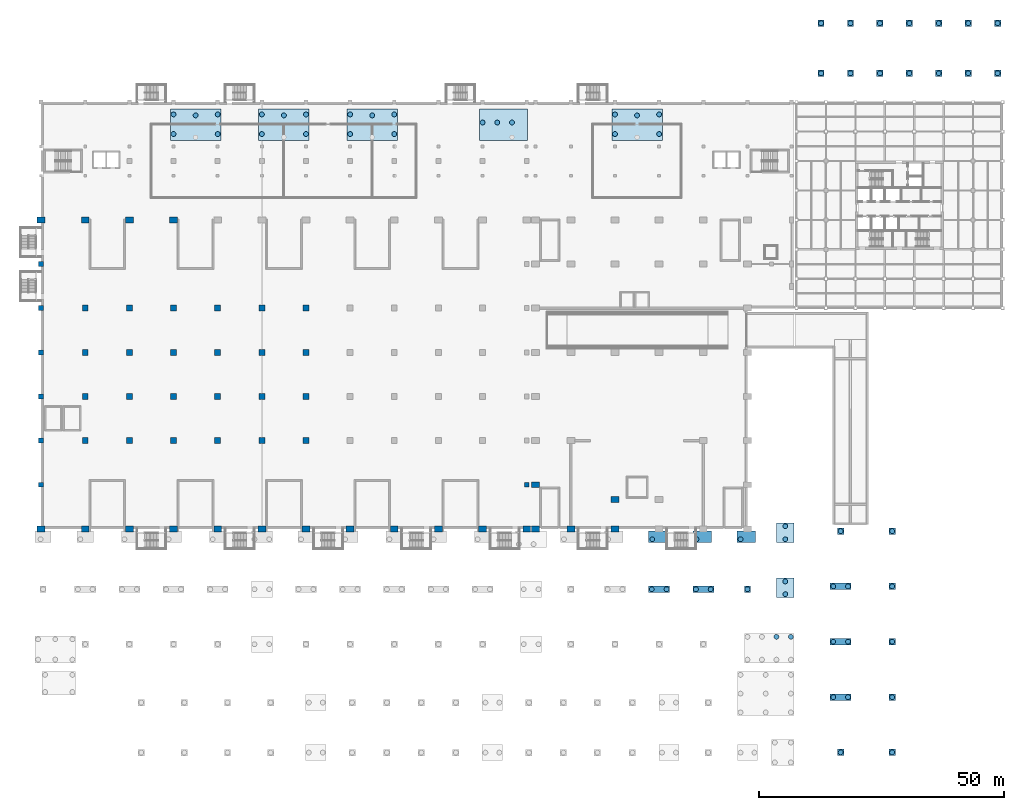
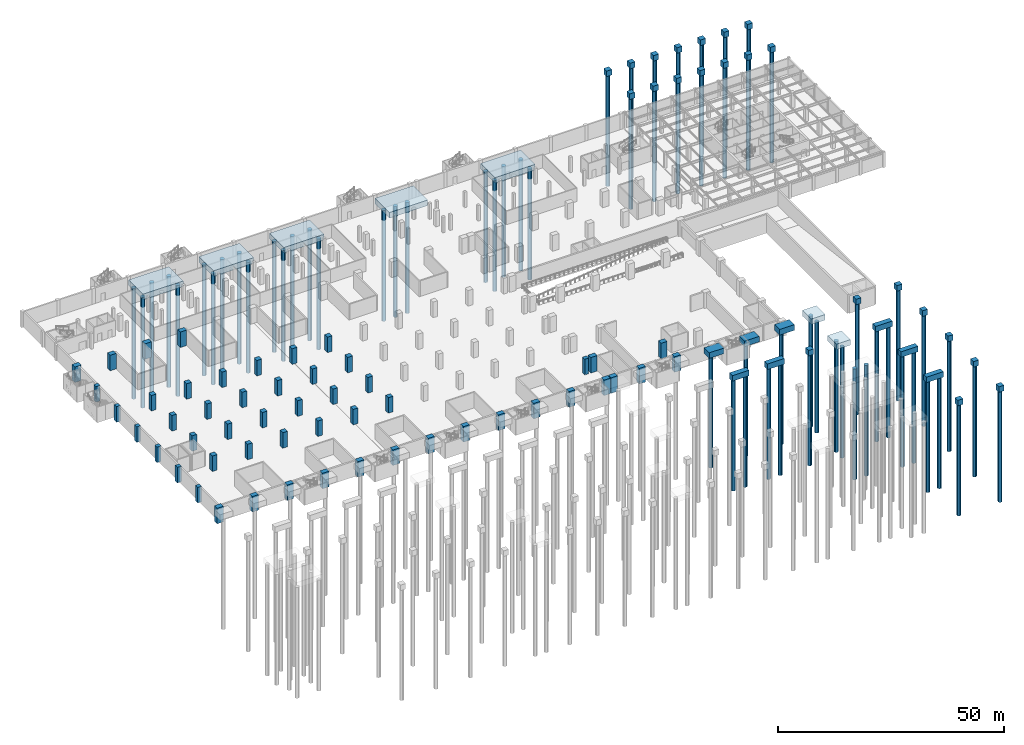
# One storey, part 2 of 27: 64 piles, 52 columns, 37 footings.
"""IFC4 building model written with IfcOpenShell, lengths in metres."""

from ifc_helpers import new_model, si_unit, direction, frame, origin, origin_2d, place, context, subcontext, project, spatial, rectangle, circle, extrude, material, material_profile, profile_set, type_object, element, save


model = new_model("IFC4")

# Units and contexts
model_context = context("Model", 3, precision=1e-05, world=origin(), true_north=direction((0.0, 1.0)))
body_context = subcontext(model_context, "Body", "Model", "MODEL_VIEW")
ifc_project = project(units=[si_unit("LENGTHUNIT", "METRE"), si_unit("AREAUNIT", "SQUARE_METRE"), si_unit("VOLUMEUNIT", "CUBIC_METRE"), si_unit("PLANEANGLEUNIT", "RADIAN"), si_unit("MASSUNIT", "GRAM", prefix="KILO")], contexts=[model_context])

# Site, building, storey
site_placement = place(None, origin())
site = spatial("IfcSite", under=ifc_project, at=site_placement, CompositionType="ELEMENT")
building_placement = place(site_placement, origin())
building = spatial("IfcBuilding", under=site, at=building_placement, Name="Aravalli Gate Trade Fair Centre", CompositionType="ELEMENT")
storey_placement = place(building_placement, frame((0.0, 0.0, -4.199951171875)))
storey = spatial("IfcBuildingStorey", under=building, at=storey_placement, Name="B1", CompositionType="ELEMENT", Elevation=-4.199951171875)

# Piles
ifc_material_1 = material(Name="Concrete M35", Category="concrete")
ifc_material_profile_1 = material_profile(ifc_material_1, circle(Radius=0.5, at=origin_2d()), Name="D1000")
ifc_profile_set_1 = profile_set([ifc_material_profile_1], Name="Concrete M35")
pile_type = type_object("IfcPileType", Name="Basement bored pile D1000", PredefinedType="BORED", material=ifc_profile_set_1)
for number, where, z_axis, x_axis, name in (
    (1, (155.89990234375, 24.0, 2.39990234375), (0.0, 0.0, -1.0), (1.0, 0.0, 0.0), "Basement bored pile W038-06"),
    (2, (158.85009765625, 24.0, 2.39990234375), (0.0, 0.0, -1.0), (1.0, 0.0, 0.0), "Basement bored pile W038-08"),
    (3, (157.715087890625, 32.699951171875, 2.39990234375), (0.0, 0.0, -1.0), (1.0, 0.0, 0.0), "Basement bored pile W056-01"),
    (4, (157.715087890625, 35.300048828125, 2.39990234375), (0.0, 0.0, -1.0), (1.0, 0.0, 0.0), "Basement bored pile W056-02"),
    (5, (130.5, 33.699951171875, 2.39990234375), (0.0, 0.0, -1.0), (1.0, 0.0, 0.0), "Basement bored pile W069-01"),
    (6, (133.5, 33.699951171875, 2.39990234375), (0.0, 0.0, -1.0), (1.0, 0.0, 0.0), "Basement bored pile W069-02"),
    (7, (139.5, 33.699951171875, 2.39990234375), (0.0, 0.0, -1.0), (1.0, 0.0, 0.0), "Basement bored pile W070-01"),
    (8, (142.5, 33.699951171875, 2.39990234375), (0.0, 0.0, -1.0), (1.0, 0.0, 0.0), "Basement bored pile W070-02"),
    (9, (150.0, 33.699951171875, 2.39990234375), (0.0, 0.0, -1.0), (1.0, 0.0, 0.0), "Basement bored pile W071-01"),
    (10, (130.60009765625, 43.89990234375, 2.39990234375), (0.0, 0.0, -1.0), (1.0, 0.0, 0.0), "Basement bored pile W086-01"),
    (11, (139.60009765625, 43.89990234375, 2.39990234375), (0.0, 0.0, -1.0), (1.0, 0.0, 0.0), "Basement bored pile W087-01"),
    (12, (148.60009765625, 43.89990234375, 2.39990234375), (0.0, 0.0, -1.0), (1.0, 0.0, 0.0), "Basement bored pile W088-01"),
    (13, (157.715087890625, 43.89990234375, 2.39990234375), (0.0, 0.0, -1.0), (1.0, 0.0, 0.0), "Basement bored pile W089-01"),
    (14, (157.715087890625, 46.550048828125, 2.39990234375), (0.0, 0.0, -1.0), (1.0, 0.0, 0.0), "Basement bored pile W089-02"),
    (15, (33.0, 126.5, 2.699951171875), (0.0, 0.0, -1.0), (1.0, 0.0, 0.0), "Basement bored pile W253-01"),
    (16, (33.0, 130.5, 2.699951171875), (0.0, 0.0, -1.0), (1.0, 0.0, 0.0), "Basement bored pile W253-02"),
    (17, (37.5, 130.300048828125, 2.699951171875), (0.0, 0.0, -1.0), (1.0, 0.0, 0.0), "Basement bored pile W253-04"),
    (18, (42.0, 126.5, 2.699951171875), (0.0, 0.0, -1.0), (1.0, 0.0, 0.0), "Basement bored pile W253-05"),
    (19, (42.0, 130.5, 2.699951171875), (0.0, 0.0, -1.0), (1.0, 0.0, 0.0), "Basement bored pile W253-06"),
    (20, (51.0, 126.5, 2.699951171875), (0.0, 0.0, -1.0), (1.0, 0.0, 0.0), "Basement bored pile W254-01"),
    (21, (51.0, 130.5, 2.699951171875), (0.0, 0.0, -1.0), (1.0, 0.0, 0.0), "Basement bored pile W254-02"),
    (22, (55.5, 130.300048828125, 2.699951171875), (0.0, 0.0, -1.0), (1.0, 0.0, 0.0), "Basement bored pile W254-04"),
    (23, (60.0, 126.5, 2.699951171875), (0.0, 0.0, -1.0), (1.0, 0.0, 0.0), "Basement bored pile W254-05"),
    (24, (60.0, 130.5, 2.699951171875), (0.0, 0.0, -1.0), (1.0, 0.0, 0.0), "Basement bored pile W254-06"),
    (25, (69.0, 126.5, 2.699951171875), (0.0, 0.0, -1.0), (1.0, 0.0, 0.0), "Basement bored pile W255-01"),
    (26, (69.0, 130.5, 2.699951171875), (0.0, 0.0, -1.0), (1.0, 0.0, 0.0), "Basement bored pile W255-02"),
    (27, (73.5, 130.300048828125, 2.699951171875), (0.0, 0.0, -1.0), (1.0, 0.0, 0.0), "Basement bored pile W255-04"),
    (28, (78.0, 126.5, 2.699951171875), (0.0, 0.0, -1.0), (1.0, 0.0, 0.0), "Basement bored pile W255-05"),
    (29, (78.0, 130.5, 2.699951171875), (0.0, 0.0, -1.0), (1.0, 0.0, 0.0), "Basement bored pile W255-06"),
    (30, (96.0, 128.85009765625, 2.699951171875), (0.0, 0.0, -1.0), (1.0, 0.0, 0.0), "Basement bored pile W256-01"),
    (31, (99.0, 128.85009765625, 2.699951171875), (0.0, 0.0, -1.0), (1.0, 0.0, 0.0), "Basement bored pile W256-02"),
    (32, (102.0, 128.85009765625, 2.699951171875), (0.0, 0.0, -1.0), (1.0, 0.0, 0.0), "Basement bored pile W256-04"),
    (33, (123.0, 126.5, 2.699951171875), (0.0, 0.0, -1.0), (1.0, 0.0, 0.0), "Basement bored pile W257-01"),
    (34, (123.0, 130.5, 2.699951171875), (0.0, 0.0, -1.0), (1.0, 0.0, 0.0), "Basement bored pile W257-02"),
    (35, (127.5, 130.300048828125, 2.699951171875), (0.0, 0.0, -1.0), (1.0, 0.0, 0.0), "Basement bored pile W257-04"),
    (36, (132.0, 126.5, 2.699951171875), (0.0, 0.0, -1.0), (1.0, 0.0, 0.0), "Basement bored pile W257-05"),
    (37, (132.0, 130.5, 2.699951171875), (0.0, 0.0, -1.0), (1.0, 0.0, 0.0), "Basement bored pile W257-06"),
    (38, (169.0, 0.449951171875, 2.39990234375), (0.0, 0.0, -1.0), (1.0, 0.0, 0.0), "Basement bored pile E001-01"),
    (39, (179.5, 0.449951171875, 2.39990234375), (0.0, 0.0, -1.0), (1.0, 0.0, 0.0), "Basement bored pile E002-01"),
    (40, (167.5, 11.699951171875, 2.39990234375), (0.0, 0.0, -1.0), (1.0, 0.0, 0.0), "Basement bored pile E003-01"),
    (41, (170.5, 11.699951171875, 2.39990234375), (0.0, 0.0, -1.0), (1.0, 0.0, 0.0), "Basement bored pile E003-02"),
    (42, (179.5, 11.699951171875, 2.39990234375), (0.0, 0.0, -1.0), (1.0, 0.0, 0.0), "Basement bored pile E004-01"),
    (43, (167.5, 23.0, 2.39990234375), (0.0, 0.0, -1.0), (1.0, 0.0, 0.0), "Basement bored pile E005-01"),
    (44, (170.5, 23.0, 2.39990234375), (0.0, 0.0, -1.0), (1.0, 0.0, 0.0), "Basement bored pile E005-02"),
    (45, (179.5, 23.0, 2.39990234375), (0.0, 0.0, -1.0), (1.0, 0.0, 0.0), "Basement bored pile E006-01"),
    (46, (167.5, 34.300048828125, 2.39990234375), (0.0, 0.0, -1.0), (1.0, 0.0, 0.0), "Basement bored pile E007-01"),
    (47, (170.5, 34.300048828125, 2.39990234375), (0.0, 0.0, -1.0), (1.0, 0.0, 0.0), "Basement bored pile E007-02"),
    (48, (179.5, 34.300048828125, 2.39990234375), (0.0, 0.0, -1.0), (1.0, 0.0, 0.0), "Basement bored pile E008-01"),
    (49, (169.0, 45.550048828125, 2.39990234375), (0.0, 0.0, -1.0), (1.0, 0.0, 0.0), "Basement bored pile E009-01"),
    (50, (179.5, 45.550048828125, 2.39990234375), (0.0, 0.0, -1.0), (1.0, 0.0, 0.0), "Basement bored pile E010-01"),
    (51, (165.0, 138.89990234375, 2.699951171875), (0.0, 0.0, -1.0), (1.0, 0.0, 0.0), "Basement bored pile E094-01"),
    (52, (171.0, 138.89990234375, 2.699951171875), (0.0, 0.0, -1.0), (1.0, 0.0, 0.0), "Basement bored pile E095-01"),
    (53, (177.0, 138.89990234375, 2.699951171875), (0.0, 0.0, -1.0), (1.0, 0.0, 0.0), "Basement bored pile E096-01"),
    (54, (183.0, 138.89990234375, 2.699951171875), (0.0, 0.0, -1.0), (1.0, 0.0, 0.0), "Basement bored pile E097-01"),
    (55, (189.0, 138.89990234375, 2.699951171875), (0.0, 0.0, -1.0), (1.0, 0.0, 0.0), "Basement bored pile E098-01"),
    (56, (195.0, 138.89990234375, 2.699951171875), (0.0, 0.0, -1.0), (1.0, 0.0, 0.0), "Basement bored pile E099-01"),
    (57, (201.0, 138.89990234375, 2.699951171875), (0.0, 0.0, -1.0), (1.0, 0.0, 0.0), "Basement bored pile E100-01"),
    (58, (165.0, 149.10009765625, 2.699951171875), (0.0, 0.0, -1.0), (1.0, 0.0, 0.0), "Basement bored pile E101-01"),
    (59, (171.0, 149.10009765625, 2.699951171875), (0.0, 0.0, -1.0), (1.0, 0.0, 0.0), "Basement bored pile E102-01"),
    (60, (177.0, 149.10009765625, 2.699951171875), (0.0, 0.0, -1.0), (1.0, 0.0, 0.0), "Basement bored pile E103-01"),
    (61, (183.0, 149.10009765625, 2.699951171875), (0.0, 0.0, -1.0), (1.0, 0.0, 0.0), "Basement bored pile E104-01"),
    (62, (189.0, 149.10009765625, 2.699951171875), (0.0, 0.0, -1.0), (1.0, 0.0, 0.0), "Basement bored pile E105-01"),
    (63, (195.0, 149.10009765625, 2.699951171875), (0.0, 0.0, -1.0), (1.0, 0.0, 0.0), "Basement bored pile E106-01"),
    (64, (201.0, 149.10009765625, 2.699951171875), (0.0, 0.0, -1.0), (1.0, 0.0, 0.0), "Basement bored pile E107-01"),
):
    element("IfcPile", number, at=place(storey_placement, frame(where, z_axis=z_axis, x_axis=x_axis)), inside=storey, type_object=pile_type, Name=name, PredefinedType="BORED", context=body_context, shape_type="SweptSolid", body=[
        extrude(circle(Radius=0.5, at=origin_2d()), origin(), (0.0, 0.0, 1.0), 30.0),
    ])

# Footings
footing_type_1 = type_object("IfcFootingType", Name="Basement pile cap 1.3 x 1.3 (1 x 1 piles)", PredefinedType="PILE_CAP", material=ifc_material_1)
for number, where, z_axis, x_axis, name in (
    (65, (150.0, 33.699951171875, 2.39990234375), (0.0, 0.0, 1.0), (1.0, 0.0, 0.0), "Basement pile cap W071"),
    (66, (169.0, 0.449951171875, 2.39990234375), (0.0, 0.0, 1.0), (1.0, 0.0, 0.0), "Basement pile cap E001"),
    (67, (179.5, 0.449951171875, 2.39990234375), (0.0, 0.0, 1.0), (1.0, 0.0, 0.0), "Basement pile cap E002"),
    (68, (179.5, 11.699951171875, 2.39990234375), (0.0, 0.0, 1.0), (1.0, 0.0, 0.0), "Basement pile cap E004"),
    (69, (179.5, 23.0, 2.39990234375), (0.0, 0.0, 1.0), (1.0, 0.0, 0.0), "Basement pile cap E006"),
    (70, (179.5, 34.300048828125, 2.39990234375), (0.0, 0.0, 1.0), (1.0, 0.0, 0.0), "Basement pile cap E008"),
    (71, (169.0, 45.550048828125, 2.39990234375), (0.0, 0.0, 1.0), (1.0, 0.0, 0.0), "Basement pile cap E009"),
    (72, (179.5, 45.550048828125, 2.39990234375), (0.0, 0.0, 1.0), (1.0, 0.0, 0.0), "Basement pile cap E010"),
    (73, (165.0, 138.89990234375, 2.699951171875), (0.0, 0.0, 1.0), (1.0, 0.0, 0.0), "Basement pile cap E094"),
    (74, (171.0, 138.89990234375, 2.699951171875), (0.0, 0.0, 1.0), (1.0, 0.0, 0.0), "Basement pile cap E095"),
    (75, (177.0, 138.89990234375, 2.699951171875), (0.0, 0.0, 1.0), (1.0, 0.0, 0.0), "Basement pile cap E096"),
    (76, (183.0, 138.89990234375, 2.699951171875), (0.0, 0.0, 1.0), (1.0, 0.0, 0.0), "Basement pile cap E097"),
    (77, (189.0, 138.89990234375, 2.699951171875), (0.0, 0.0, 1.0), (1.0, 0.0, 0.0), "Basement pile cap E098"),
    (78, (195.0, 138.89990234375, 2.699951171875), (0.0, 0.0, 1.0), (1.0, 0.0, 0.0), "Basement pile cap E099"),
    (79, (201.0, 138.89990234375, 2.699951171875), (0.0, 0.0, 1.0), (1.0, 0.0, 0.0), "Basement pile cap E100"),
    (80, (165.0, 149.10009765625, 2.699951171875), (0.0, 0.0, 1.0), (1.0, 0.0, 0.0), "Basement pile cap E101"),
    (81, (171.0, 149.10009765625, 2.699951171875), (0.0, 0.0, 1.0), (1.0, 0.0, 0.0), "Basement pile cap E102"),
    (82, (177.0, 149.10009765625, 2.699951171875), (0.0, 0.0, 1.0), (1.0, 0.0, 0.0), "Basement pile cap E103"),
    (83, (183.0, 149.10009765625, 2.699951171875), (0.0, 0.0, 1.0), (1.0, 0.0, 0.0), "Basement pile cap E104"),
    (84, (189.0, 149.10009765625, 2.699951171875), (0.0, 0.0, 1.0), (1.0, 0.0, 0.0), "Basement pile cap E105"),
    (85, (195.0, 149.10009765625, 2.699951171875), (0.0, 0.0, 1.0), (1.0, 0.0, 0.0), "Basement pile cap E106"),
    (86, (201.0, 149.10009765625, 2.699951171875), (0.0, 0.0, 1.0), (1.0, 0.0, 0.0), "Basement pile cap E107"),
):
    element("IfcFooting", number, at=place(storey_placement, frame(where, z_axis=z_axis, x_axis=x_axis)), inside=storey, type_object=footing_type_1, Name=name, PredefinedType="PILE_CAP", context=body_context, shape_type="SweptSolid", body=[
        extrude(rectangle(XDim=1.300048828125, YDim=1.300048828125, at=origin_2d()), origin(), (0.0, 0.0, 1.0), 1.5),
    ])
footing_type_2 = type_object("IfcFootingType", Name="Basement pile cap 10.3 x 6.4 (3 x 2 piles)", PredefinedType="PILE_CAP", material=ifc_material_1)
for number, where, z_axis, x_axis, name in (
    (87, (37.5, 128.39990234375, 2.699951171875), (0.0, 0.0, 1.0), (1.0, 0.0, 0.0), "Basement pile cap W253"),
    (88, (55.5, 128.39990234375, 2.699951171875), (0.0, 0.0, 1.0), (1.0, 0.0, 0.0), "Basement pile cap W254"),
    (89, (73.5, 128.39990234375, 2.699951171875), (0.0, 0.0, 1.0), (1.0, 0.0, 0.0), "Basement pile cap W255"),
    (90, (127.5, 128.39990234375, 2.699951171875), (0.0, 0.0, 1.0), (1.0, 0.0, 0.0), "Basement pile cap W257"),
):
    element("IfcFooting", number, at=place(storey_placement, frame(where, z_axis=z_axis, x_axis=x_axis)), inside=storey, type_object=footing_type_2, Name=name, PredefinedType="PILE_CAP", context=body_context, shape_type="SweptSolid", body=[
        extrude(rectangle(XDim=10.300048828125, YDim=6.39990234375, at=origin_2d()), origin(), (0.0, 0.0, 1.0), 1.5),
    ])
footing_type_3 = type_object("IfcFootingType", Name="Basement pile cap 3.57 x 3.9 (1 x 2 piles)", PredefinedType="PILE_CAP", material=ifc_material_1)
footing_1_placement = place(storey_placement, frame((157.715087890625, 34.0, 2.39990234375), z_axis=(0.0, 0.0, 1.0), x_axis=(1.0, 0.0, 0.0)))
element("IfcFooting", 91, at=footing_1_placement, inside=storey, type_object=footing_type_3, Name="Basement pile cap W056", PredefinedType="PILE_CAP", context=body_context, shape_type="SweptSolid", body=[
    extrude(rectangle(XDim=3.570068359375, YDim=3.89990234375, at=origin_2d()), origin(), (0.0, 0.0, 1.0), 1.5),
])
footing_type_4 = type_object("IfcFootingType", Name="Basement pile cap 3.57 x 3.95 (1 x 2 piles)", PredefinedType="PILE_CAP", material=ifc_material_1)
footing_2_placement = place(storey_placement, frame((157.715087890625, 45.22509765625, 2.39990234375), z_axis=(0.0, 0.0, 1.0), x_axis=(1.0, 0.0, 0.0)))
element("IfcFooting", 92, at=footing_2_placement, inside=storey, type_object=footing_type_4, Name="Basement pile cap W089", PredefinedType="PILE_CAP", context=body_context, shape_type="SweptSolid", body=[
    extrude(rectangle(XDim=3.570068359375, YDim=3.949951171875, at=origin_2d()), origin(), (0.0, 0.0, 1.0), 1.5),
])
footing_type_5 = type_object("IfcFootingType", Name="Basement pile cap 3.8 x 2.3 (1 x 1 piles)", PredefinedType="PILE_CAP", material=ifc_material_1)
for number, where, z_axis, x_axis, name in (
    (93, (131.75, 44.39990234375, 2.39990234375), (0.0, 0.0, 1.0), (1.0, 0.0, 0.0), "Basement pile cap W086"),
    (94, (140.75, 44.39990234375, 2.39990234375), (0.0, 0.0, 1.0), (1.0, 0.0, 0.0), "Basement pile cap W087"),
    (95, (149.75, 44.39990234375, 2.39990234375), (0.0, 0.0, 1.0), (1.0, 0.0, 0.0), "Basement pile cap W088"),
):
    element("IfcFooting", number, at=place(storey_placement, frame(where, z_axis=z_axis, x_axis=x_axis)), inside=storey, type_object=footing_type_5, Name=name, PredefinedType="PILE_CAP", context=body_context, shape_type="SweptSolid", body=[
        extrude(rectangle(XDim=3.800048828125, YDim=2.300048828125, at=origin_2d()), origin(), (0.0, 0.0, 1.0), 1.5),
    ])
footing_type_6 = type_object("IfcFootingType", Name="Basement pile cap 4.3 x 1.3 (2 x 1 piles)", PredefinedType="PILE_CAP", material=ifc_material_1)
for number, where, z_axis, x_axis, name in (
    (96, (132.0, 33.699951171875, 2.39990234375), (0.0, 0.0, 1.0), (1.0, 0.0, 0.0), "Basement pile cap W069"),
    (97, (141.0, 33.699951171875, 2.39990234375), (0.0, 0.0, 1.0), (1.0, 0.0, 0.0), "Basement pile cap W070"),
    (98, (169.0, 11.699951171875, 2.39990234375), (0.0, 0.0, 1.0), (1.0, 0.0, 0.0), "Basement pile cap E003"),
    (99, (169.0, 23.0, 2.39990234375), (0.0, 0.0, 1.0), (1.0, 0.0, 0.0), "Basement pile cap E005"),
    (100, (169.0, 34.300048828125, 2.39990234375), (0.0, 0.0, 1.0), (1.0, 0.0, 0.0), "Basement pile cap E007"),
):
    element("IfcFooting", number, at=place(storey_placement, frame(where, z_axis=z_axis, x_axis=x_axis)), inside=storey, type_object=footing_type_6, Name=name, PredefinedType="PILE_CAP", context=body_context, shape_type="SweptSolid", body=[
        extrude(rectangle(XDim=4.300048828125, YDim=1.300048828125, at=origin_2d()), origin(), (0.0, 0.0, 1.0), 1.5),
    ])
footing_type_7 = type_object("IfcFootingType", Name="Basement pile cap 9.8 x 6.4 (4 x 1 piles)", PredefinedType="PILE_CAP", material=ifc_material_1)
footing_3_placement = place(storey_placement, frame((100.25, 128.39990234375, 2.699951171875), z_axis=(0.0, 0.0, 1.0), x_axis=(1.0, 0.0, 0.0)))
element("IfcFooting", 101, at=footing_3_placement, inside=storey, type_object=footing_type_7, Name="Basement pile cap W256", PredefinedType="PILE_CAP", context=body_context, shape_type="SweptSolid", body=[
    extrude(rectangle(XDim=9.800048828125, YDim=6.39990234375, at=origin_2d()), origin(), (0.0, 0.0, 1.0), 1.5),
])

# Columns
ifc_material_2 = material(Name="Concrete M50", Category="concrete")
ifc_material_profile_2 = material_profile(ifc_material_2, rectangle(XDim=1.0, YDim=1.0, at=origin_2d()), Name="RC 1000 x 1000")
ifc_profile_set_2 = profile_set([ifc_material_profile_2], Name="Concrete M50")
column_type_1 = type_object("IfcColumnType", Name="Basement column 1000", PredefinedType="COLUMN", material=ifc_profile_set_2)
for number, where, z_axis, x_axis, name in (
    (102, (6.0, 55.0, 0.0), (0.0, 0.0, 1.0), (1.0, 0.0, 0.0), "Basement column 1B B1"),
    (103, (6.0, 64.0, 0.0), (0.0, 0.0, 1.0), (1.0, 0.0, 0.0), "Basement column 1C B1"),
    (104, (6.0, 73.0, 0.0), (0.0, 0.0, 1.0), (1.0, 0.0, 0.0), "Basement column 1D B1"),
    (105, (6.0, 82.0, 0.0), (0.0, 0.0, 1.0), (1.0, 0.0, 0.0), "Basement column 1E B1"),
    (106, (6.0, 91.0, 0.0), (0.0, 0.0, 1.0), (1.0, 0.0, 0.0), "Basement column 1F B1"),
    (107, (6.0, 100.0, 0.0), (0.0, 0.0, 1.0), (1.0, 0.0, 0.0), "Basement column 1G B1"),
    (108, (105.0, 55.0, 0.0), (0.0, 0.0, 1.0), (1.0, 0.0, 0.0), "Basement column 12B B1"),
):
    element("IfcColumn", number, at=place(storey_placement, frame(where, z_axis=z_axis, x_axis=x_axis)), inside=storey, type_object=column_type_1, Name=name, PredefinedType="COLUMN", context=body_context, shape_type="SweptSolid", body=[
        extrude(rectangle(XDim=1.0, YDim=1.0, at=origin_2d()), origin(), (0.0, 0.0, 1.0), 4.199951171875),
    ])
ifc_material_profile_3 = material_profile(ifc_material_2, rectangle(XDim=1.199951171875, YDim=1.199951171875, at=origin_2d()), Name="RC 1200 x 1200")
ifc_profile_set_3 = profile_set([ifc_material_profile_3], Name="Concrete M50")
column_type_2 = type_object("IfcColumnType", Name="Basement column 1200", PredefinedType="COLUMN", material=ifc_profile_set_3)
for number, where, z_axis, x_axis, name in (
    (109, (15.0, 64.0, 0.0), (0.0, 0.0, 1.0), (1.0, 0.0, 0.0), "Basement column 2C B1"),
    (110, (15.0, 73.0, 0.0), (0.0, 0.0, 1.0), (1.0, 0.0, 0.0), "Basement column 2D B1"),
    (111, (15.0, 82.0, 0.0), (0.0, 0.0, 1.0), (1.0, 0.0, 0.0), "Basement column 2E B1"),
    (112, (15.0, 91.0, 0.0), (0.0, 0.0, 1.0), (1.0, 0.0, 0.0), "Basement column 2F B1"),
    (113, (24.0, 64.0, 0.0), (0.0, 0.0, 1.0), (1.0, 0.0, 0.0), "Basement column 3C B1"),
    (114, (24.0, 73.0, 0.0), (0.0, 0.0, 1.0), (1.0, 0.0, 0.0), "Basement column 3D B1"),
    (115, (24.0, 82.0, 0.0), (0.0, 0.0, 1.0), (1.0, 0.0, 0.0), "Basement column 3E B1"),
    (116, (24.0, 91.0, 0.0), (0.0, 0.0, 1.0), (1.0, 0.0, 0.0), "Basement column 3F B1"),
    (117, (33.0, 64.0, 0.0), (0.0, 0.0, 1.0), (1.0, 0.0, 0.0), "Basement column 4C B1"),
    (118, (33.0, 73.0, 0.0), (0.0, 0.0, 1.0), (1.0, 0.0, 0.0), "Basement column 4D B1"),
    (119, (33.0, 82.0, 0.0), (0.0, 0.0, 1.0), (1.0, 0.0, 0.0), "Basement column 4E B1"),
    (120, (33.0, 91.0, 0.0), (0.0, 0.0, 1.0), (1.0, 0.0, 0.0), "Basement column 4F B1"),
    (121, (42.0, 64.0, 0.0), (0.0, 0.0, 1.0), (1.0, 0.0, 0.0), "Basement column 5C B1"),
    (122, (42.0, 73.0, 0.0), (0.0, 0.0, 1.0), (1.0, 0.0, 0.0), "Basement column 5D B1"),
    (123, (42.0, 82.0, 0.0), (0.0, 0.0, 1.0), (1.0, 0.0, 0.0), "Basement column 5E B1"),
    (124, (42.0, 91.0, 0.0), (0.0, 0.0, 1.0), (1.0, 0.0, 0.0), "Basement column 5F B1"),
    (125, (51.0, 64.0, 0.0), (0.0, 0.0, 1.0), (1.0, 0.0, 0.0), "Basement column 6C B1"),
    (126, (51.0, 73.0, 0.0), (0.0, 0.0, 1.0), (1.0, 0.0, 0.0), "Basement column 6D B1"),
    (127, (51.0, 82.0, 0.0), (0.0, 0.0, 1.0), (1.0, 0.0, 0.0), "Basement column 6E B1"),
    (128, (51.0, 91.0, 0.0), (0.0, 0.0, 1.0), (1.0, 0.0, 0.0), "Basement column 6F B1"),
    (129, (60.0, 64.0, 0.0), (0.0, 0.0, 1.0), (1.0, 0.0, 0.0), "Basement column 7C B1"),
    (130, (60.0, 73.0, 0.0), (0.0, 0.0, 1.0), (1.0, 0.0, 0.0), "Basement column 7D B1"),
    (131, (60.0, 82.0, 0.0), (0.0, 0.0, 1.0), (1.0, 0.0, 0.0), "Basement column 7E B1"),
    (132, (60.0, 91.0, 0.0), (0.0, 0.0, 1.0), (1.0, 0.0, 0.0), "Basement column 7F B1"),
):
    element("IfcColumn", number, at=place(storey_placement, frame(where, z_axis=z_axis, x_axis=x_axis)), inside=storey, type_object=column_type_2, Name=name, PredefinedType="COLUMN", context=body_context, shape_type="SweptSolid", body=[
        extrude(rectangle(XDim=1.199951171875, YDim=1.199951171875, at=origin_2d()), origin(), (0.0, 0.0, 1.0), 4.199951171875),
    ])
ifc_material_3 = material(Name="Concrete M45", Category="concrete")
ifc_material_profile_4 = material_profile(ifc_material_3, rectangle(XDim=1.60009765625, YDim=1.199951171875, at=origin_2d()), Name="RC 1600x1200")
ifc_profile_set_4 = profile_set([ifc_material_profile_4], Name="Concrete M45")
column_type_3 = type_object("IfcColumnType", Name="Congress RC column 1600 x 1200", PredefinedType="COLUMN", material=ifc_profile_set_4)
for number, where, z_axis, x_axis, name in (
    (133, (106.800048828125, 46.0, 0.0), (0.0, 0.0, 1.0), (1.0, 0.0, 0.0), "Congress column 106.8/46 B1"),
    (134, (114.0, 46.0, 0.0), (0.0, 0.0, 1.0), (1.0, 0.0, 0.0), "Congress column 114.0/46 B1"),
    (135, (123.0, 46.0, 0.0), (0.0, 0.0, 1.0), (1.0, 0.0, 0.0), "Congress column 123.0/46 B1"),
    (136, (106.800048828125, 55.0, 0.0), (0.0, 0.0, 1.0), (1.0, 0.0, 0.0), "Congress column 106.8/55 B1"),
):
    element("IfcColumn", number, at=place(storey_placement, frame(where, z_axis=z_axis, x_axis=x_axis)), inside=storey, type_object=column_type_3, Name=name, PredefinedType="COLUMN", context=body_context, shape_type="SweptSolid", body=[
        extrude(rectangle(XDim=1.60009765625, YDim=1.199951171875, at=origin_2d()), origin(), (0.0, 0.0, 1.0), 4.199951171875),
    ])
ifc_material_profile_5 = material_profile(ifc_material_3, rectangle(XDim=1.60009765625, YDim=1.199951171875, at=origin_2d()), Name="RC 1600x1200")
ifc_profile_set_5 = profile_set([ifc_material_profile_5], Name="Concrete M45")
column_type_4 = type_object("IfcColumnType", Name="Congress RC column 1600 x 1200, heavy stack", PredefinedType="COLUMN", material=ifc_profile_set_5)
column_placement = place(storey_placement, frame((123.0, 52.0, 0.0), z_axis=(0.0, 0.0, 1.0), x_axis=(1.0, 0.0, 0.0)))
element("IfcColumn", 137, at=column_placement, inside=storey, type_object=column_type_4, Name="Congress column 123.0/52 B1", PredefinedType="COLUMN", context=body_context, shape_type="SweptSolid", body=[
    extrude(rectangle(XDim=1.60009765625, YDim=1.199951171875, at=origin_2d()), origin(), (0.0, 0.0, 1.0), 4.199951171875),
])
ifc_material_profile_6 = material_profile(ifc_material_3, rectangle(XDim=1.60009765625, YDim=1.199951171875, at=origin_2d()), Name="RC 1600x1200")
ifc_profile_set_6 = profile_set([ifc_material_profile_6], Name="Concrete M45")
column_type_5 = type_object("IfcColumnType", Name="Hall end-line spine column HC2", PredefinedType="COLUMN", material=ifc_profile_set_6)
for number, where, z_axis, x_axis, name in (
    (138, (6.0, 46.0, 0.0), (0.0, 0.0, 1.0), (1.0, 0.0, 0.0), "Spine column A1 B1"),
    (139, (6.0, 109.0, 0.0), (0.0, 0.0, 1.0), (1.0, 0.0, 0.0), "Spine column H1 B1"),
    (140, (105.0, 46.0, 0.0), (0.0, 0.0, 1.0), (1.0, 0.0, 0.0), "Spine column A12 B1"),
):
    element("IfcColumn", number, at=place(storey_placement, frame(where, z_axis=z_axis, x_axis=x_axis)), inside=storey, type_object=column_type_5, Name=name, PredefinedType="COLUMN", context=body_context, shape_type="SweptSolid", body=[
        extrude(rectangle(XDim=1.60009765625, YDim=1.199951171875, at=origin_2d()), origin(), (0.0, 0.0, 1.0), 4.199951171875),
    ])
ifc_material_profile_7 = material_profile(ifc_material_3, rectangle(XDim=1.60009765625, YDim=1.199951171875, at=origin_2d()), Name="RC 1600x1200")
ifc_profile_set_7 = profile_set([ifc_material_profile_7], Name="Concrete M45")
column_type_6 = type_object("IfcColumnType", Name="Hall spine column HC1", PredefinedType="COLUMN", material=ifc_profile_set_7)
for number, where, z_axis, x_axis, name in (
    (141, (15.0, 46.0, 0.0), (0.0, 0.0, 1.0), (1.0, 0.0, 0.0), "Spine column A2 B1"),
    (142, (15.0, 109.0, 0.0), (0.0, 0.0, 1.0), (1.0, 0.0, 0.0), "Spine column H2 B1"),
    (143, (24.0, 46.0, 0.0), (0.0, 0.0, 1.0), (1.0, 0.0, 0.0), "Spine column A3 B1"),
    (144, (24.0, 109.0, 0.0), (0.0, 0.0, 1.0), (1.0, 0.0, 0.0), "Spine column H3 B1"),
    (145, (33.0, 46.0, 0.0), (0.0, 0.0, 1.0), (1.0, 0.0, 0.0), "Spine column A4 B1"),
    (146, (33.0, 109.0, 0.0), (0.0, 0.0, 1.0), (1.0, 0.0, 0.0), "Spine column H4 B1"),
    (147, (42.0, 46.0, 0.0), (0.0, 0.0, 1.0), (1.0, 0.0, 0.0), "Spine column A5 B1"),
    (148, (51.0, 46.0, 0.0), (0.0, 0.0, 1.0), (1.0, 0.0, 0.0), "Spine column A6 B1"),
    (149, (60.0, 46.0, 0.0), (0.0, 0.0, 1.0), (1.0, 0.0, 0.0), "Spine column A7 B1"),
    (150, (69.0, 46.0, 0.0), (0.0, 0.0, 1.0), (1.0, 0.0, 0.0), "Spine column A8 B1"),
    (151, (78.0, 46.0, 0.0), (0.0, 0.0, 1.0), (1.0, 0.0, 0.0), "Spine column A9 B1"),
    (152, (87.0, 46.0, 0.0), (0.0, 0.0, 1.0), (1.0, 0.0, 0.0), "Spine column A10 B1"),
    (153, (96.0, 46.0, 0.0), (0.0, 0.0, 1.0), (1.0, 0.0, 0.0), "Spine column A11 B1"),
):
    element("IfcColumn", number, at=place(storey_placement, frame(where, z_axis=z_axis, x_axis=x_axis)), inside=storey, type_object=column_type_6, Name=name, PredefinedType="COLUMN", context=body_context, shape_type="SweptSolid", body=[
        extrude(rectangle(XDim=1.60009765625, YDim=1.199951171875, at=origin_2d()), origin(), (0.0, 0.0, 1.0), 4.199951171875),
    ])

save(model, "model.ifc")
